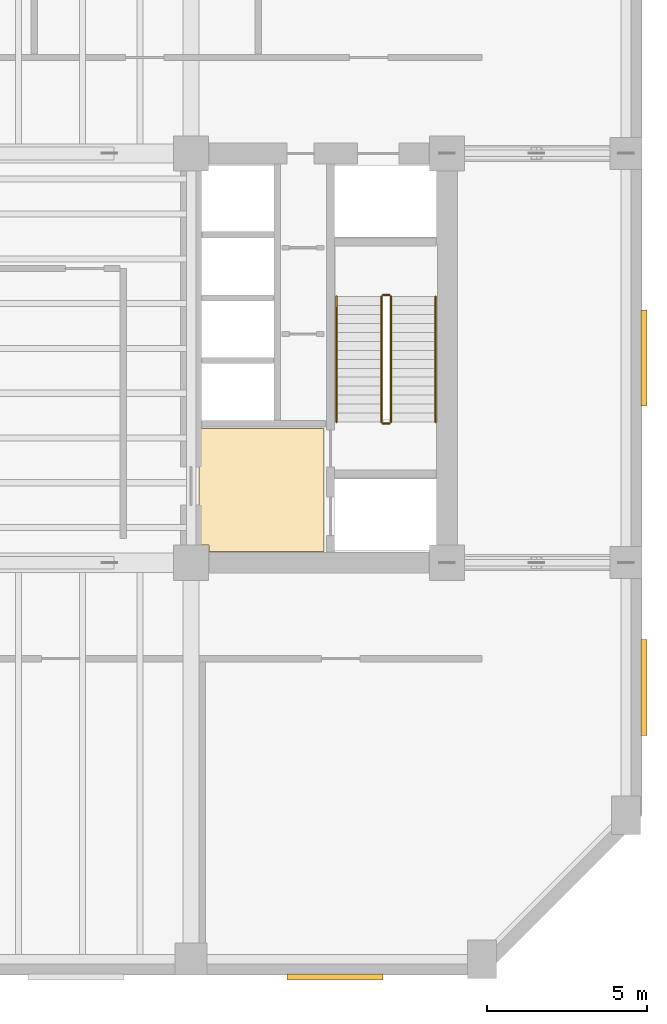
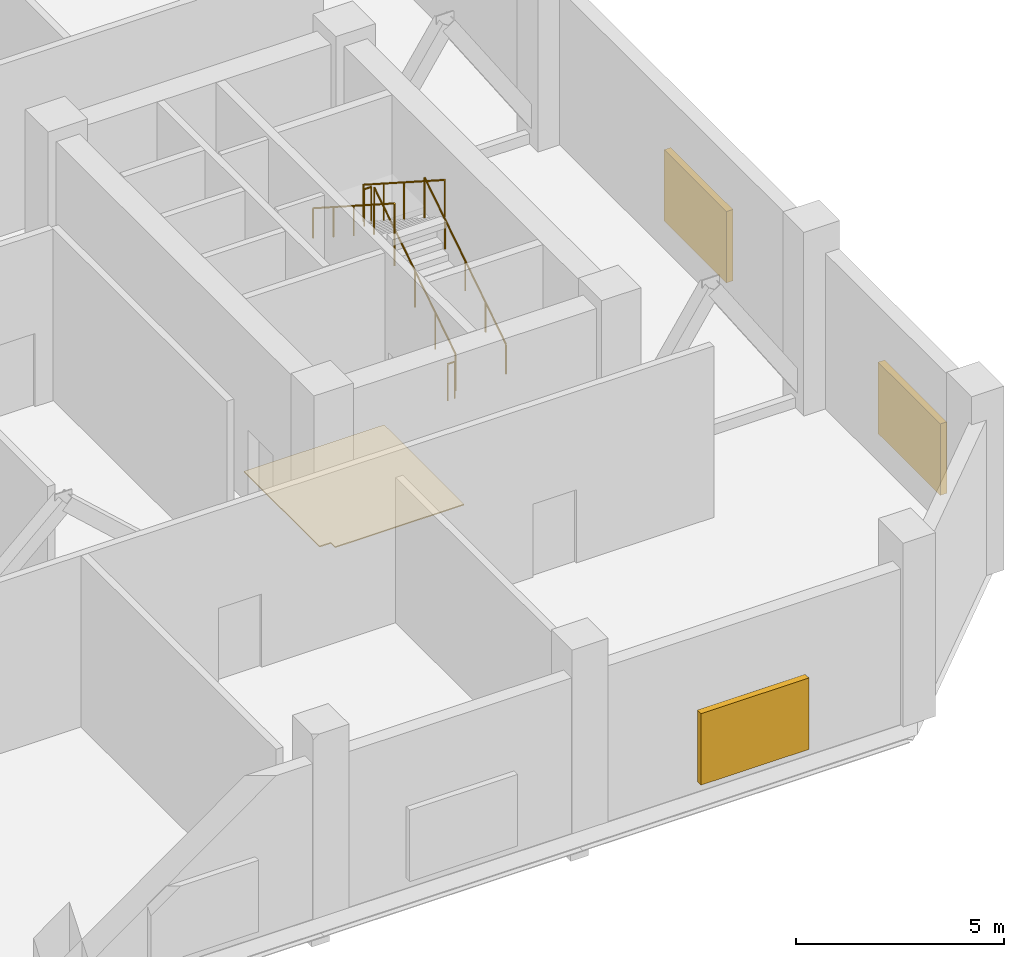
# One storey, part 8 of 9: 6 railings, 3 shading devices, 1 covering.
"""IFC4 building model written with IfcOpenShell, lengths in metres."""

from ifc_helpers import new_model, si_unit, direction, frame, origin, origin_2d, place, context, subcontext, project, spatial, polyline, rectangle, circle, outline, extrude, material, layer, layer_set, type_object, element, save


model = new_model("IFC4")

# Units and contexts
model_context = context("Model", 3, precision=1e-05, world=origin(), true_north=direction((0.0, 1.0)))
body_context = subcontext(model_context, "Body", "Model", "MODEL_VIEW")
ifc_project = project(units=[si_unit("LENGTHUNIT", "METRE"), si_unit("AREAUNIT", "SQUARE_METRE"), si_unit("VOLUMEUNIT", "CUBIC_METRE"), si_unit("PLANEANGLEUNIT", "RADIAN"), si_unit("MASSUNIT", "GRAM", prefix="KILO")], contexts=[model_context])

# Site, building, storey
site_placement = place(None, origin())
site = spatial("IfcSite", under=ifc_project, at=site_placement, CompositionType="ELEMENT")
building_placement = place(site_placement, origin())
building = spatial("IfcBuilding", under=site, at=building_placement, Name="Kranthara Brick Stack", CompositionType="ELEMENT")
storey_placement = place(building_placement, frame((0.0, 0.0, 110.10009765625)))
storey = spatial("IfcBuildingStorey", under=building, at=storey_placement, Name="L27", CompositionType="ELEMENT", Elevation=110.10009765625)

# Covering
ifc_material_1 = material(Name="Honed terrazzo and porcelain floor finish", Category="stone")
ifc_layer = layer(ifc_material_1, 0.030029296875)
ifc_layer_set = layer_set([ifc_layer], Name="Honed terrazzo and porcelain floor finish")
covering_type = type_object("IfcCoveringType", Name="COV-FLOR-STONE", PredefinedType="FLOORING", material=ifc_layer_set)
covering_placement = place(storey_placement, origin())
element("IfcCovering", 1, at=covering_placement, inside=storey, type_object=covering_type, Name="L27 Lift Lobby Stone Flooring", PredefinedType="FLOORING", context=body_context, shape_type="SweptSolid", body=[
    extrude(outline(polyline([(35.449951171875, 25.0), (39.35009765625, 25.0), (39.35009765625, 21.14990234375), (35.760009765625, 21.14990234375), (35.760009765625, 21.360107421875), (35.449951171875, 21.360107421875), (35.449951171875, 25.0)])), origin(), (0.0, 0.0, 1.0), 0.02978515625),
])

# Railings
ifc_material_2 = material(Name="Painted galvanized steel stair guardrail", Category="steel")
railing_type_1 = type_object("IfcRailingType", Name="RL-STAIR-GUARD-1100", PredefinedType="GUARDRAIL", material=ifc_material_2)
railing_1_placement = place(storey_placement, frame((41.449951171875, 25.199951171875, 0.179931640625)))
element("IfcRailing", 2, at=railing_1_placement, inside=storey, type_object=railing_type_1, Name="L27 ST02 stair guard 1", PredefinedType="GUARDRAIL", context=body_context, shape_type="SweptSolid", body=[
    extrude(circle(Radius=0.02392578125, at=origin_2d()), frame((0.0, 0.0, 1.076171875), z_axis=(0.0, 0.841186985886, 0.540744352514), x_axis=(-1.0, 0.0, 0.0)), (0.0, 0.0, 1.0), 4.660400390625),
    extrude(circle(Radius=0.02099609375, at=origin_2d()), origin(), (0.0, 0.0, 1.0), 1.052001953125),
    extrude(circle(Radius=0.02099609375, at=origin_2d()), frame((0.0, 0.97998046875, 0.6298828125)), (0.0, 0.0, 1.0), 1.052001953125),
    extrude(circle(Radius=0.02099609375, at=origin_2d()), frame((0.0, 1.9599609375, 1.260009765625)), (0.0, 0.0, 1.0), 1.052001953125),
    extrude(circle(Radius=0.02099609375, at=origin_2d()), frame((0.0, 2.940185546875, 1.89013671875)), (0.0, 0.0, 1.0), 1.052001953125),
    extrude(circle(Radius=0.02099609375, at=origin_2d()), frame((0.0, 3.920166015625, 2.52001953125)), (0.0, 0.0, 1.0), 1.052001953125),
])
railing_2_placement = place(storey_placement, frame((41.39990234375, 29.169921875, 2.699951171875)))
element("IfcRailing", 3, at=railing_2_placement, inside=storey, type_object=railing_type_1, Name="L27 ST02 stair guard 2", PredefinedType="GUARDRAIL", context=body_context, shape_type="SweptSolid", body=[
    extrude(circle(Radius=0.02392578125, at=origin_2d()), frame((0.0, 0.0, 1.076171875), z_axis=(-1.0, 0.0, 0.0), x_axis=(0.0, -1.0, 0.0)), (0.0, 0.0, 1.0), 0.199951171875),
    extrude(circle(Radius=0.02099609375, at=origin_2d()), origin(), (0.0, 0.0, 1.0), 1.052001953125),
    extrude(circle(Radius=0.02099609375, at=origin_2d()), frame((-0.199951171875, 0.0, 0.0)), (0.0, 0.0, 1.0), 1.052001953125),
])
railing_3_placement = place(storey_placement, frame((41.14990234375, 29.1201171875, 2.8798828125)))
element("IfcRailing", 4, at=railing_3_placement, inside=storey, type_object=railing_type_1, Name="L27 ST02 stair guard 3", PredefinedType="GUARDRAIL", context=body_context, shape_type="SweptSolid", body=[
    extrude(circle(Radius=0.02392578125, at=origin_2d()), frame((0.0, 0.0, 1.076171875), z_axis=(0.0, -0.841186985886, 0.540744352514), x_axis=(1.0, 0.0, 0.0)), (0.0, 0.0, 1.0), 4.660400390625),
    extrude(circle(Radius=0.02099609375, at=origin_2d()), origin(), (0.0, 0.0, 1.0), 1.052001953125),
    extrude(circle(Radius=0.02099609375, at=origin_2d()), frame((0.0, -0.97998046875, 0.6298828125)), (0.0, 0.0, 1.0), 1.052001953125),
    extrude(circle(Radius=0.02099609375, at=origin_2d()), frame((0.0, -1.9599609375, 1.260009765625)), (0.0, 0.0, 1.0), 1.052001953125),
    extrude(circle(Radius=0.02099609375, at=origin_2d()), frame((0.0, -2.940185546875, 1.89013671875)), (0.0, 0.0, 1.0), 1.052001953125),
    extrude(circle(Radius=0.02099609375, at=origin_2d()), frame((0.0, -3.920166015625, 2.52001953125)), (0.0, 0.0, 1.0), 1.052001953125),
])
railing_4_placement = place(storey_placement, frame((41.39990234375, 25.14990234375, 0.0)))
element("IfcRailing", 5, at=railing_4_placement, inside=storey, type_object=railing_type_1, Name="L27 ST02 stair guard 4", PredefinedType="GUARDRAIL", context=body_context, shape_type="SweptSolid", body=[
    extrude(circle(Radius=0.02392578125, at=origin_2d()), frame((0.0, 0.0, 1.076171875), z_axis=(-1.0, 0.0, 0.0), x_axis=(0.0, -1.0, 0.0)), (0.0, 0.0, 1.0), 0.199951171875),
    extrude(circle(Radius=0.02099609375, at=origin_2d()), origin(), (0.0, 0.0, 1.0), 1.052001953125),
    extrude(circle(Radius=0.02099609375, at=origin_2d()), frame((-0.199951171875, 0.0, 0.0)), (0.0, 0.0, 1.0), 1.052001953125),
])
ifc_material_3 = material(Name="Brushed stainless steel tubular handrail", Category="steel")
railing_type_2 = type_object("IfcRailingType", Name="RL-STAIR-HAND-900", PredefinedType="HANDRAIL", material=ifc_material_3)
railing_5_placement = place(storey_placement, frame((42.85009765625, 25.199951171875, 0.179931640625)))
element("IfcRailing", 6, at=railing_5_placement, inside=storey, type_object=railing_type_2, Name="L27 ST02 stair handrail 1", PredefinedType="HANDRAIL", context=body_context, shape_type="SweptSolid", body=[
    extrude(circle(Radius=0.02392578125, at=origin_2d()), frame((0.0, 0.0, 0.8759765625), z_axis=(0.0, 0.841186985886, 0.540744352514), x_axis=(-1.0, 0.0, 0.0)), (0.0, 0.0, 1.0), 4.660400390625),
    extrude(circle(Radius=0.02099609375, at=origin_2d()), origin(), (0.0, 0.0, 1.0), 0.851806640625),
    extrude(circle(Radius=0.02099609375, at=origin_2d()), frame((0.0, 0.97998046875, 0.6298828125)), (0.0, 0.0, 1.0), 0.851806640625),
    extrude(circle(Radius=0.02099609375, at=origin_2d()), frame((0.0, 1.9599609375, 1.260009765625)), (0.0, 0.0, 1.0), 0.851806640625),
    extrude(circle(Radius=0.02099609375, at=origin_2d()), frame((0.0, 2.940185546875, 1.89013671875)), (0.0, 0.0, 1.0), 0.851806640625),
    extrude(circle(Radius=0.02099609375, at=origin_2d()), frame((0.0, 3.920166015625, 2.52001953125)), (0.0, 0.0, 1.0), 0.851806640625),
])
railing_6_placement = place(storey_placement, frame((39.75, 29.1201171875, 2.8798828125)))
element("IfcRailing", 7, at=railing_6_placement, inside=storey, type_object=railing_type_2, Name="L27 ST02 stair handrail 2", PredefinedType="HANDRAIL", context=body_context, shape_type="SweptSolid", body=[
    extrude(circle(Radius=0.02392578125, at=origin_2d()), frame((0.0, 0.0, 0.8759765625), z_axis=(0.0, -0.841186985886, 0.540744352514), x_axis=(1.0, 0.0, 0.0)), (0.0, 0.0, 1.0), 4.660400390625),
    extrude(circle(Radius=0.02099609375, at=origin_2d()), origin(), (0.0, 0.0, 1.0), 0.851806640625),
    extrude(circle(Radius=0.02099609375, at=origin_2d()), frame((0.0, -0.97998046875, 0.6298828125)), (0.0, 0.0, 1.0), 0.851806640625),
    extrude(circle(Radius=0.02099609375, at=origin_2d()), frame((0.0, -1.9599609375, 1.260009765625)), (0.0, 0.0, 1.0), 0.851806640625),
    extrude(circle(Radius=0.02099609375, at=origin_2d()), frame((0.0, -2.940185546875, 1.89013671875)), (0.0, 0.0, 1.0), 0.851806640625),
    extrude(circle(Radius=0.02099609375, at=origin_2d()), frame((0.0, -3.920166015625, 2.52001953125)), (0.0, 0.0, 1.0), 0.851806640625),
])

# Shading devices
ifc_material_4 = material(Name="Bronze anodised aluminium acoustic louvre", Category="aluminium")
shading_device_type = type_object("IfcShadingDeviceType", Name="SHD-LOUVRE-PLANT", PredefinedType="JALOUSIE", material=ifc_material_4)
for number, where, z_axis, x_axis, name in (
    (8, (39.699951171875, 7.840087890625, 0.2998046875), (0.0, 0.0, 1.0), (-1.0, 0.0, 0.0), "L27 SOUTH Mechanical Louvre Bank 1"),
    (9, (49.360107421875, 27.199951171875, 0.2998046875), (0.0, 0.0, 1.0), (0.0, -1.0, 0.0), "L27 EAST Mechanical Louvre Bank 2"),
    (10, (49.360107421875, 16.89990234375, 0.2998046875), (0.0, 0.0, 1.0), (0.0, -1.0, 0.0), "L27 EAST Mechanical Louvre Bank 3"),
):
    element("IfcShadingDevice", number, at=place(storey_placement, frame(where, z_axis=z_axis, x_axis=x_axis)), inside=storey, type_object=shading_device_type, Name=name, PredefinedType="JALOUSIE", context=body_context, shape_type="SweptSolid", body=[
        extrude(rectangle(XDim=3.0, YDim=0.179931640625, at=origin_2d()), origin(), (0.0, 0.0, 1.0), 2.10009765625),
    ])

save(model, "model.ifc")
